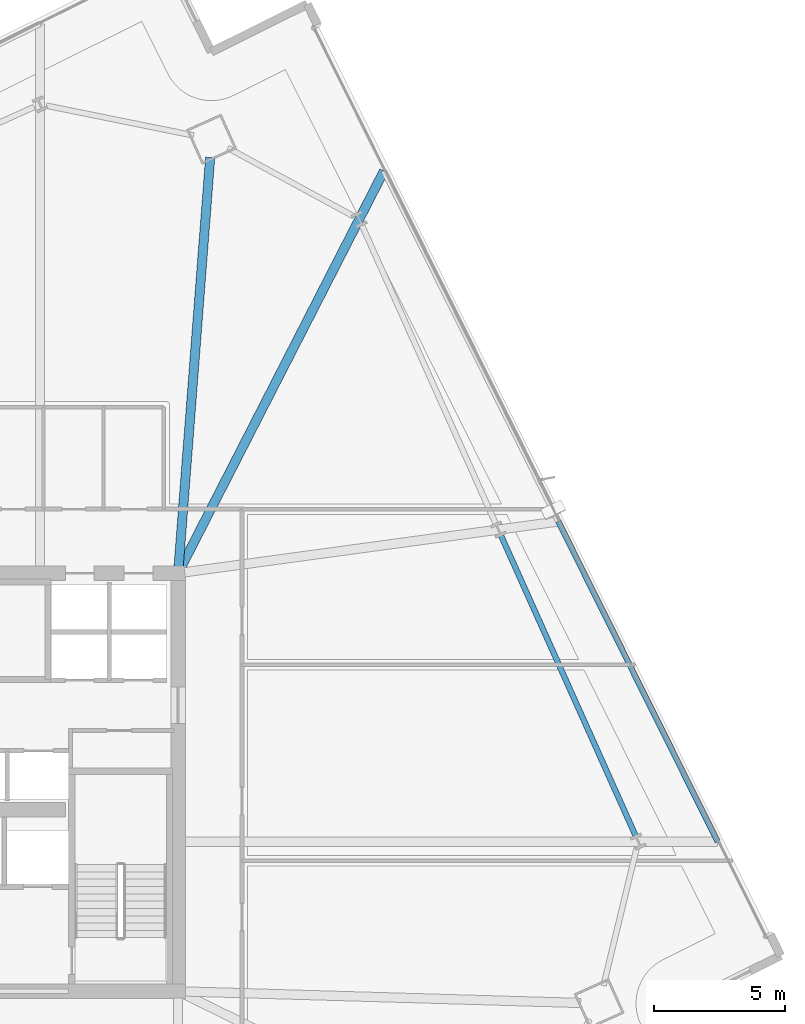
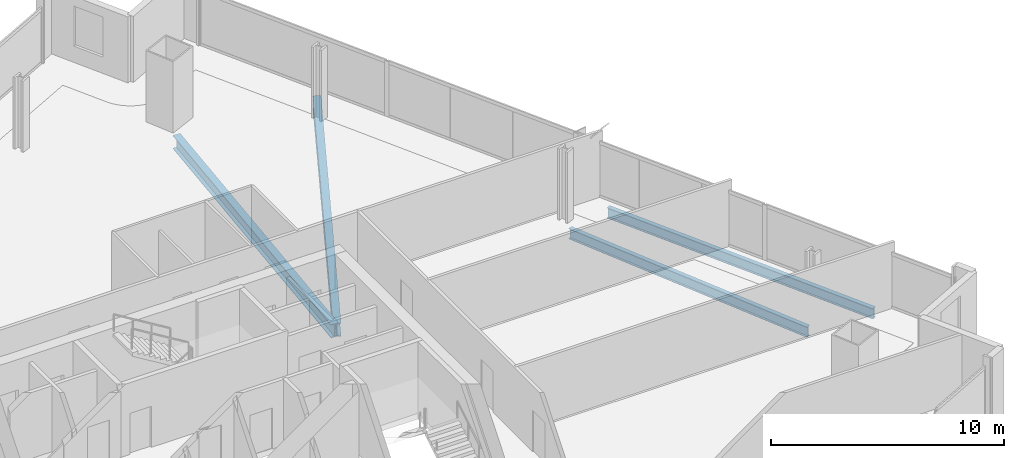
# One storey, part 19 of 35: 4 beams.
"""IFC4 building model written with IfcOpenShell, lengths in metres."""

from ifc_helpers import new_model, si_unit, direction, frame, origin, origin_2d, place, context, subcontext, project, spatial, i_section, extrude, material, material_profile, profile_set, type_object, element, save


model = new_model("IFC4")

# Units and contexts
model_context = context("Model", 3, precision=1e-05, world=origin(), true_north=direction((0.0, 1.0)))
body_context = subcontext(model_context, "Body", "Model", "MODEL_VIEW")
ifc_project = project(units=[si_unit("LENGTHUNIT", "METRE"), si_unit("AREAUNIT", "SQUARE_METRE"), si_unit("VOLUMEUNIT", "CUBIC_METRE"), si_unit("PLANEANGLEUNIT", "RADIAN"), si_unit("MASSUNIT", "GRAM", prefix="KILO")], contexts=[model_context])

# Site, building, storey
site_placement = place(None, origin())
site = spatial("IfcSite", under=ifc_project, at=site_placement, CompositionType="ELEMENT")
building_placement = place(site_placement, origin())
building = spatial("IfcBuilding", under=site, at=building_placement, Name="Haldenkirk Collegiate Tower", CompositionType="ELEMENT")
storey_placement = place(building_placement, frame((0.0, 0.0, 116.699951171875)))
storey = spatial("IfcBuildingStorey", under=building, at=storey_placement, Name="L28", CompositionType="ELEMENT", Elevation=116.699951171875)

# Beams
ifc_material = material(Name="Steel ASTM A992 Grade 50", Category="steel")
ifc_material_profile_1 = material_profile(ifc_material, i_section(OverallWidth=0.35498046875, OverallDepth=0.696044921875, WebThickness=0.015380859375, FlangeThickness=0.02490234375, at=origin_2d()), Name="W27X146")
ifc_profile_set_1 = profile_set([ifc_material_profile_1], Name="Steel ASTM A992 Grade 50")
beam_type_1 = type_object("IfcBeamType", Name="BM-GIRDER-W27X146", PredefinedType="BEAM", material=ifc_profile_set_1)
beam_1_placement = place(storey_placement, frame((46.226806640625, 49.9072265625, -0.64794921875), z_axis=(-0.076898657581, -0.997038914217, 0.0), x_axis=(0.997038914217, -0.076898657581, 0.0)))
element("IfcBeam", 1, at=beam_1_placement, inside=storey, type_object=beam_type_1, Name="L28 primary floor girder 03", PredefinedType="BEAM", context=body_context, shape_type="SweptSolid", body=[
    extrude(i_section(OverallWidth=0.35498046875, OverallDepth=0.696044921875, WebThickness=0.015380859375, FlangeThickness=0.02490234375, at=origin_2d()), origin(), (0.0, 0.0, 1.0), 15.699462890625),
])
beam_2_placement = place(storey_placement, frame((52.876953125, 49.392822265625, -0.64794921875), z_axis=(-0.455546062297, -0.890212213534, 0.0), x_axis=(0.890212213534, -0.455546062297, 0.0)))
element("IfcBeam", 2, at=beam_2_placement, inside=storey, type_object=beam_type_1, Name="L28 primary floor girder 10", PredefinedType="BEAM", context=body_context, shape_type="SweptSolid", body=[
    extrude(i_section(OverallWidth=0.35498046875, OverallDepth=0.696044921875, WebThickness=0.015380859375, FlangeThickness=0.02490234375, at=origin_2d()), origin(), (0.0, 0.0, 1.0), 17.0361328125),
])
ifc_material_profile_2 = material_profile(ifc_material, i_section(OverallWidth=0.2119140625, OverallDepth=0.5439453125, WebThickness=0.01318359375, FlangeThickness=0.021240234375, at=origin_2d()), Name="W21X83")
ifc_profile_set_2 = profile_set([ifc_material_profile_2], Name="Steel ASTM A992 Grade 50")
beam_type_2 = type_object("IfcBeamType", Name="BM-SPANDREL-W21X83", PredefinedType="SPANDREL", material=ifc_profile_set_2)
beam_3_placement = place(storey_placement, frame((62.50830078125, 23.951416015625, -0.572021484375), z_axis=(-0.409131045523, 0.91247563671, 0.0), x_axis=(-0.91247563671, -0.409131045523, 0.0)))
element("IfcBeam", 3, at=beam_3_placement, inside=storey, type_object=beam_type_2, Name="L28 perimeter spandrel beam 06", PredefinedType="SPANDREL", context=body_context, shape_type="SweptSolid", body=[
    extrude(i_section(OverallWidth=0.2119140625, OverallDepth=0.5439453125, WebThickness=0.01318359375, FlangeThickness=0.021240234375, at=origin_2d()), origin(), (0.0, 0.0, 1.0), 12.593994140625),
])
beam_4_placement = place(storey_placement, frame((65.6455078125, 23.727294921875, -0.572021484375), z_axis=(-0.445421521563, 0.895320986087, 0.0), x_axis=(-0.895320986087, -0.445421521563, 0.0)))
element("IfcBeam", 4, at=beam_4_placement, inside=storey, type_object=beam_type_2, Name="L28 outer facade edge beam 2A", PredefinedType="SPANDREL", context=body_context, shape_type="SweptSolid", body=[
    extrude(i_section(OverallWidth=0.2119140625, OverallDepth=0.5439453125, WebThickness=0.01318359375, FlangeThickness=0.021240234375, at=origin_2d()), origin(), (0.0, 0.0, 1.0), 13.684814453125),
])

save(model, "model.ifc")
